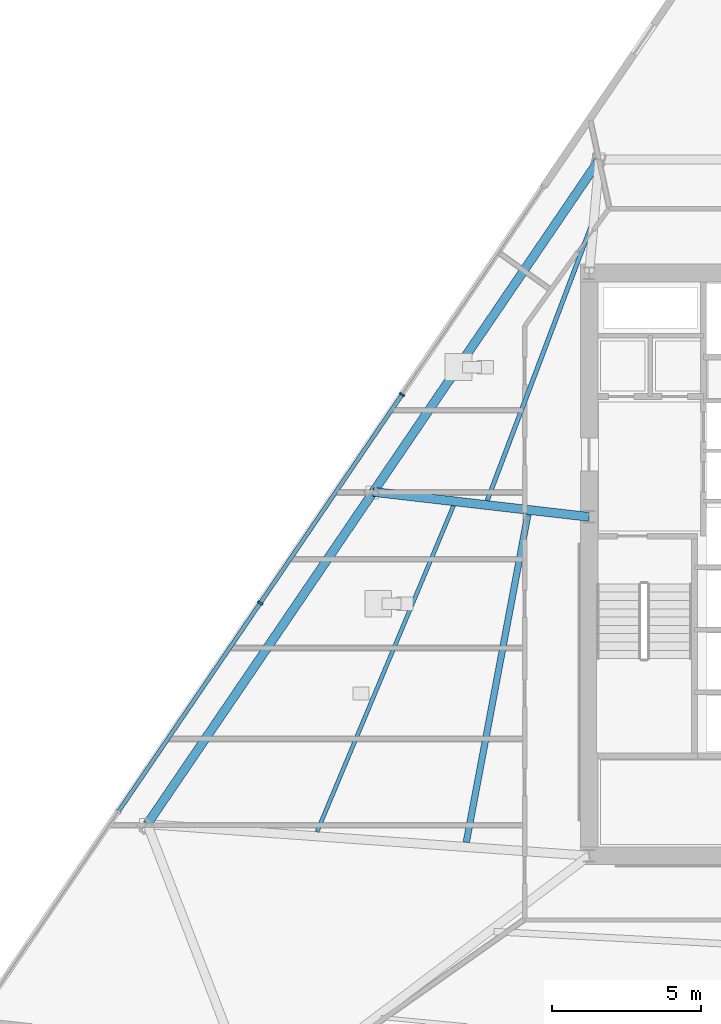
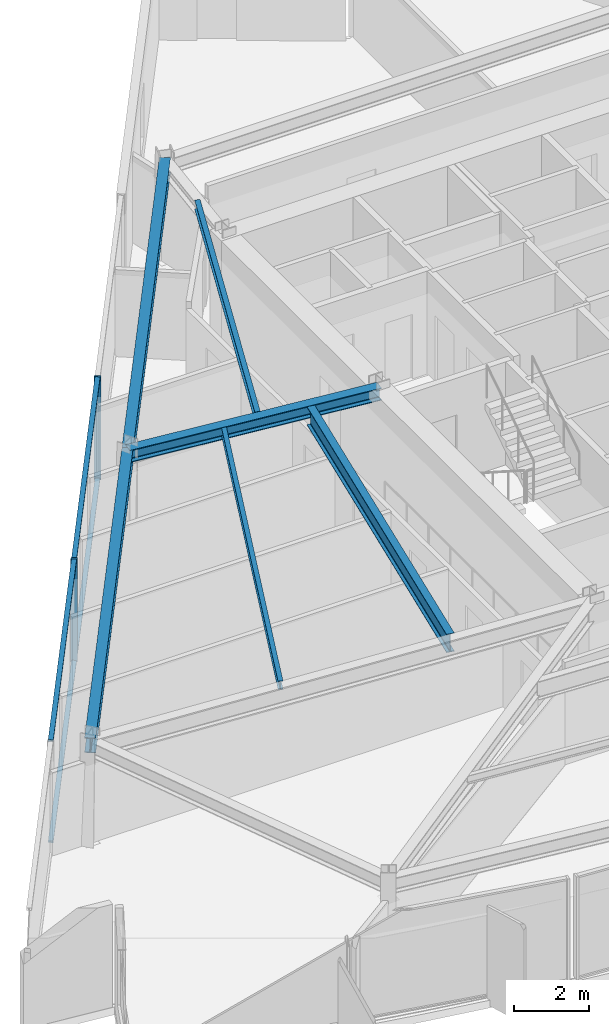
# One storey, part 3 of 15: 6 beams, 6 members, 1 element without a shape of its own.
"""IFC4 building model written with IfcOpenShell, lengths in metres."""

from ifc_helpers import new_model, si_unit, direction, frame, origin, origin_2d, place, context, subcontext, project, spatial, rectangle, i_section, extrude, material, material_profile, profile_set, type_object, element, aggregate, save


model = new_model("IFC4")

# Units and contexts
model_context = context("Model", 3, precision=1e-05, world=origin(), true_north=direction((0.0, 1.0)))
body_context = subcontext(model_context, "Body", "Model", "MODEL_VIEW")
ifc_project = project(units=[si_unit("LENGTHUNIT", "METRE"), si_unit("AREAUNIT", "SQUARE_METRE"), si_unit("VOLUMEUNIT", "CUBIC_METRE"), si_unit("PLANEANGLEUNIT", "RADIAN"), si_unit("MASSUNIT", "GRAM", prefix="KILO")], contexts=[model_context])

# Site, building, storey
site_placement = place(None, origin())
site = spatial("IfcSite", under=ifc_project, at=site_placement, CompositionType="ELEMENT")
building_placement = place(site_placement, origin())
building = spatial("IfcBuilding", under=site, at=building_placement, Name="Savorim Split Tower", CompositionType="ELEMENT")
storey_placement = place(building_placement, frame((0.0, 0.0, 96.89990234375)))
storey = spatial("IfcBuildingStorey", under=building, at=storey_placement, Name="L25", CompositionType="ELEMENT", Elevation=96.89990234375)

# Beams
ifc_material_1 = material(Name="Steel S355", Category="steel")
ifc_material_profile_1 = material_profile(ifc_material_1, i_section(OverallWidth=0.135009765625, OverallDepth=0.27001953125, WebThickness=0.006591796875, FlangeThickness=0.01025390625, FilletRadius=0.014892578125, at=origin_2d()), Name="IPE 270")
ifc_profile_set_1 = profile_set([ifc_material_profile_1], Name="Steel S355")
beam_type_1 = type_object("IfcBeamType", Name="BM-JST-IPE270", PredefinedType="JOIST", material=ifc_profile_set_1)
beam_1_placement = place(storey_placement, frame((-12.264892578125, 2.373291015625, 3.215087890625), z_axis=(-0.386153122841, -0.922434694556, 0.0), x_axis=(0.922434694556, -0.386153122841, 0.0)))
element("IfcBeam", 1, at=beam_1_placement, inside=storey, type_object=beam_type_1, Name="L25 Secondary Floor Joist JS-10", PredefinedType="JOIST", context=body_context, shape_type="SweptSolid", body=[
    extrude(i_section(OverallWidth=0.135009765625, OverallDepth=0.27001953125, WebThickness=0.006591796875, FlangeThickness=0.01025390625, FilletRadius=0.014892578125, at=origin_2d()), origin(), (0.0, 0.0, 1.0), 11.88916015625),
])
ifc_material_profile_2 = material_profile(ifc_material_1, i_section(OverallWidth=0.14990234375, OverallDepth=0.300048828125, WebThickness=0.007080078125, FlangeThickness=0.0107421875, FilletRadius=0.014892578125, at=origin_2d()), Name="IPE 300")
ifc_profile_set_2 = profile_set([ifc_material_profile_2], Name="Steel S355")
beam_type_2 = type_object("IfcBeamType", Name="BM-JST-IPE300", PredefinedType="JOIST", material=ifc_profile_set_2)
beam_2_placement = place(storey_placement, frame((-7.593017578125, 11.88330078125, 3.2001953125), z_axis=(-0.354416716727, -0.935087584617, 0.0), x_axis=(0.935087584617, -0.354416716727, 0.0)))
element("IfcBeam", 2, at=beam_2_placement, inside=storey, type_object=beam_type_2, Name="L25 Secondary Floor Joist JS-09", PredefinedType="JOIST", context=body_context, shape_type="SweptSolid", body=[
    extrude(i_section(OverallWidth=0.14990234375, OverallDepth=0.300048828125, WebThickness=0.007080078125, FlangeThickness=0.0107421875, FilletRadius=0.014892578125, at=origin_2d()), origin(), (0.0, 0.0, 1.0), 9.97802734375),
])
ifc_material_profile_3 = material_profile(ifc_material_1, i_section(OverallWidth=0.219970703125, OverallDepth=0.60009765625, WebThickness=0.011962890625, FlangeThickness=0.01904296875, FilletRadius=0.02392578125, at=origin_2d()), Name="IPE 600")
ifc_profile_set_3 = profile_set([ifc_material_profile_3], Name="Steel S355")
beam_type_3 = type_object("IfcBeamType", Name="BM-JST-IPE600", PredefinedType="JOIST", material=ifc_profile_set_3)
beam_3_placement = place(storey_placement, frame((-9.76318359375, 2.077880859375, 3.050048828125), z_axis=(-0.184565836255, -0.982820152463, 0.0), x_axis=(0.982820152463, -0.184565836255, 0.0)))
element("IfcBeam", 3, at=beam_3_placement, inside=storey, type_object=beam_type_3, Name="L25 Secondary Floor Joist JS-11", PredefinedType="JOIST", context=body_context, shape_type="SweptSolid", body=[
    extrude(i_section(OverallWidth=0.219970703125, OverallDepth=0.60009765625, WebThickness=0.011962890625, FlangeThickness=0.01904296875, FilletRadius=0.02392578125, at=origin_2d()), origin(), (0.0, 0.0, 1.0), 11.2158203125),
])
ifc_material_profile_4 = material_profile(ifc_material_1, i_section(OverallWidth=0.300048828125, OverallDepth=0.39990234375, WebThickness=0.013427734375, FlangeThickness=0.02392578125, FilletRadius=0.027099609375, at=origin_2d()), Name="HEB 400")
ifc_profile_set_4 = profile_set([ifc_material_profile_4], Name="Steel S355")
beam_type_4 = type_object("IfcBeamType", Name="BM-PRI-HEB400", PredefinedType="BEAM", material=ifc_profile_set_4)
beam_4_placement = place(storey_placement, frame((-14.962890625, 2.84033203125, 3.150146484375), z_axis=(0.993373058168, -0.114934621877, 0.0), x_axis=(0.114934621877, 0.993373058168, 0.0)))
element("IfcBeam", 4, at=beam_4_placement, inside=storey, type_object=beam_type_4, Name="L25 Primary Floor Girder RG-09", PredefinedType="BEAM", context=body_context, shape_type="SweptSolid", body=[
    extrude(i_section(OverallWidth=0.300048828125, OverallDepth=0.39990234375, WebThickness=0.013427734375, FlangeThickness=0.02392578125, FilletRadius=0.027099609375, at=origin_2d()), origin(), (0.0, 0.0, 1.0), 7.311279296875),
])
ifc_material_profile_5 = material_profile(ifc_material_1, i_section(OverallWidth=0.300048828125, OverallDepth=0.489990234375, WebThickness=0.011962890625, FlangeThickness=0.02294921875, FilletRadius=0.027099609375, at=origin_2d()), Name="HEA 500")
ifc_profile_set_5 = profile_set([ifc_material_profile_5], Name="Steel S355")
beam_type_5 = type_object("IfcBeamType", Name="BM-SPN-HEA500", PredefinedType="SPANDREL", material=ifc_profile_set_5)
beam_5_placement = place(storey_placement, frame((-7.358642578125, 14.0185546875, 3.10498046875), z_axis=(-0.562464614301, -0.826821357767, 0.0), x_axis=(0.826821357767, -0.562464614301, 0.0)))
element("IfcBeam", 5, at=beam_5_placement, inside=storey, type_object=beam_type_5, Name="L25 Perimeter Spandrel Beam 8", PredefinedType="SPANDREL", context=body_context, shape_type="SweptSolid", body=[
    extrude(i_section(OverallWidth=0.300048828125, OverallDepth=0.489990234375, WebThickness=0.011962890625, FlangeThickness=0.02294921875, FilletRadius=0.027099609375, at=origin_2d()), origin(), (0.0, 0.0, 1.0), 13.51953125),
])
beam_6_placement = place(storey_placement, frame((-14.962890625, 2.84033203125, 3.10498046875), z_axis=(-0.56247301259, -0.826815644571, 0.0), x_axis=(0.826815644571, -0.56247301259, 0.0)))
element("IfcBeam", 6, at=beam_6_placement, inside=storey, type_object=beam_type_5, Name="L25 Perimeter Spandrel Beam 9", PredefinedType="SPANDREL", context=body_context, shape_type="SweptSolid", body=[
    extrude(i_section(OverallWidth=0.300048828125, OverallDepth=0.489990234375, WebThickness=0.011962890625, FlangeThickness=0.02294921875, FilletRadius=0.027099609375, at=origin_2d()), origin(), (0.0, 0.0, 1.0), 13.519287109375),
])

# Curtain wall, members
ifc_material_2 = material(Name="Dark Ceramic-Fritted Insulated Glass", Category="glass")
curtain_wall_type = type_object("IfcCurtainWallType", Name="CW-TWR-FRIT-A", PredefinedType="NOTDEFINED", material=ifc_material_2)
curtain_wall_placement = place(storey_placement, origin())
curtain_wall = element("IfcCurtainWall", 7, at=curtain_wall_placement, inside=storey, type_object=curtain_wall_type, Name="L25 Curtain Wall CW-L25-WEST", PredefinedType="NOTDEFINED")
ifc_material_3 = material(Name="Charcoal Anodised Aluminium", Category="aluminium")
ifc_material_profile_6 = material_profile(ifc_material_3, rectangle(XDim=0.179931640625, YDim=0.06494140625, at=origin_2d()), Name="ALU-M 180x65")
ifc_profile_set_6 = profile_set([ifc_material_profile_6], Name="Charcoal Anodised Aluminium")
member_type_1 = type_object("IfcMemberType", Name="CWM-180x65", PredefinedType="MULLION", material=ifc_profile_set_6)
member_1_placement = place(storey_placement, frame((-13.9912109375, 6.1181640625, 0.0), z_axis=(0.0, 0.0, 1.0), x_axis=(0.826819383915, -0.562467515846, 0.0)))
member_1 = element("IfcMember", 8, at=member_1_placement, type_object=member_type_1, Name="CW-02 mullion 2", PredefinedType="MULLION", context=body_context, shape_type="SweptSolid", body=[
    extrude(rectangle(XDim=0.179931640625, YDim=0.06494140625, at=origin_2d()), origin(), (0.0, 0.0, 1.0), 3.35009765625),
])
member_2_placement = place(storey_placement, frame((-18.76513671875, -0.899658203125, 0.0), z_axis=(0.0, 0.0, 1.0), x_axis=(0.826819383915, -0.562467515846, 0.0)))
member_2 = element("IfcMember", 9, at=member_2_placement, type_object=member_type_1, Name="CW-02 mullion 3", PredefinedType="MULLION", context=body_context, shape_type="SweptSolid", body=[
    extrude(rectangle(XDim=0.179931640625, YDim=0.06494140625, at=origin_2d()), origin(), (0.0, 0.0, 1.0), 3.35009765625),
])
ifc_material_profile_7 = material_profile(ifc_material_3, rectangle(XDim=0.139892578125, YDim=0.054931640625, at=origin_2d()), Name="ALU-T 140x55")
ifc_profile_set_7 = profile_set([ifc_material_profile_7], Name="Charcoal Anodised Aluminium")
member_type_2 = type_object("IfcMemberType", Name="CWT-140x55", PredefinedType="USERDEFINED", material=ifc_profile_set_7)
member_3_placement = place(storey_placement, frame((-14.009521484375, 6.09130859375, 0.027587890625), z_axis=(-0.562468576469, -0.826818662395, 0.0), x_axis=(0.826818662395, -0.562468576469, 0.0)))
member_3 = element("IfcMember", 10, at=member_3_placement, type_object=member_type_2, Name="CW-02 transom 2.1", ObjectType="TRANSOM", PredefinedType="USERDEFINED", context=body_context, shape_type="SweptSolid", body=[
    extrude(rectangle(XDim=0.139892578125, YDim=0.054931640625, at=origin_2d()), origin(), (0.0, 0.0, 1.0), 8.4228515625),
])
member_4_placement = place(storey_placement, frame((-14.009521484375, 6.09130859375, 3.322509765625), z_axis=(-0.562468576469, -0.826818662395, 0.0), x_axis=(0.826818662395, -0.562468576469, 0.0)))
member_4 = element("IfcMember", 11, at=member_4_placement, type_object=member_type_2, Name="CW-02 transom 2.2", ObjectType="TRANSOM", PredefinedType="USERDEFINED", context=body_context, shape_type="SweptSolid", body=[
    extrude(rectangle(XDim=0.139892578125, YDim=0.054931640625, at=origin_2d()), origin(), (0.0, 0.0, 1.0), 8.4228515625),
])
member_5_placement = place(storey_placement, frame((-18.783447265625, -0.926513671875, 0.027587890625), z_axis=(-0.562482056819, -0.826809491816, 0.0), x_axis=(0.826809491816, -0.562482056819, 0.0)))
member_5 = element("IfcMember", 12, at=member_5_placement, type_object=member_type_2, Name="CW-02 transom 3.1", ObjectType="TRANSOM", PredefinedType="USERDEFINED", context=body_context, shape_type="SweptSolid", body=[
    extrude(rectangle(XDim=0.139892578125, YDim=0.054931640625, at=origin_2d()), origin(), (0.0, 0.0, 1.0), 8.422607421875),
])
member_6_placement = place(storey_placement, frame((-18.783447265625, -0.926513671875, 3.322509765625), z_axis=(-0.562482056819, -0.826809491816, 0.0), x_axis=(0.826809491816, -0.562482056819, 0.0)))
member_6 = element("IfcMember", 13, at=member_6_placement, type_object=member_type_2, Name="CW-02 transom 3.2", ObjectType="TRANSOM", PredefinedType="USERDEFINED", context=body_context, shape_type="SweptSolid", body=[
    extrude(rectangle(XDim=0.139892578125, YDim=0.054931640625, at=origin_2d()), origin(), (0.0, 0.0, 1.0), 8.422607421875),
])
aggregate(curtain_wall, [member_1, member_2, member_3, member_4, member_5, member_6])

save(model, "model.ifc")
